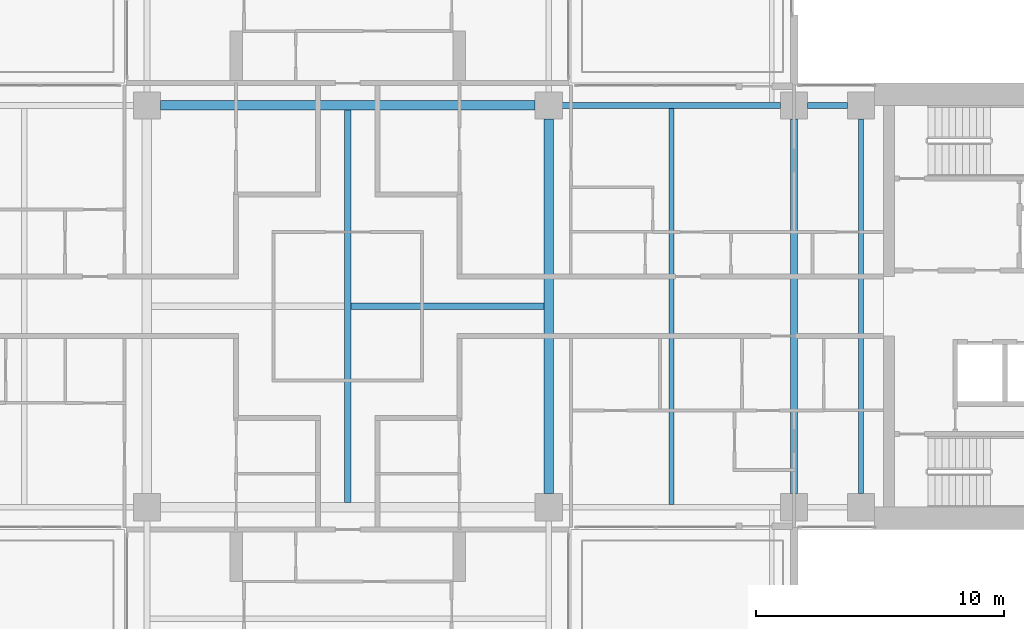
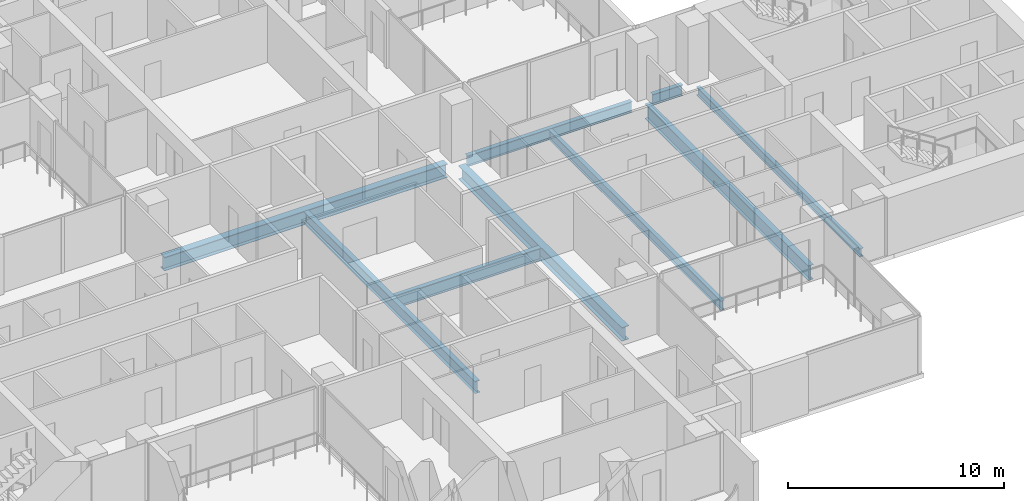
# One storey, part 4 of 19: 9 beams.
"""IFC4 building model written with IfcOpenShell, lengths in metres."""

from ifc_helpers import new_model, si_unit, direction, frame, origin, origin_2d, place, context, subcontext, project, spatial, i_section, extrude, material, material_profile, profile_set, type_object, element, save


model = new_model("IFC4")

# Units and contexts
model_context = context("Model", 3, precision=1e-05, world=origin(), true_north=direction((0.0, 1.0)))
body_context = subcontext(model_context, "Body", "Model", "MODEL_VIEW")
ifc_project = project(units=[si_unit("LENGTHUNIT", "METRE"), si_unit("AREAUNIT", "SQUARE_METRE"), si_unit("VOLUMEUNIT", "CUBIC_METRE"), si_unit("PLANEANGLEUNIT", "RADIAN"), si_unit("MASSUNIT", "GRAM", prefix="KILO")], contexts=[model_context])

# Site, building, storey
site_placement = place(None, origin())
site = spatial("IfcSite", under=ifc_project, at=site_placement, CompositionType="ELEMENT")
building_placement = place(site_placement, origin())
building = spatial("IfcBuilding", under=site, at=building_placement, Name="Perihelion Cross Residences", CompositionType="ELEMENT")
storey_placement = place(building_placement, frame((0.0, 0.0, 144.39990234375)))
storey = spatial("IfcBuildingStorey", under=building, at=storey_placement, Name="L35", CompositionType="ELEMENT", Elevation=144.39990234375)

# Beams
ifc_material_1 = material(Name="Steel S355", Category="steel")
ifc_material_profile_1 = material_profile(ifc_material_1, i_section(OverallWidth=0.194091796875, OverallDepth=0.469970703125, WebThickness=0.0126953125, FlangeThickness=0.0205078125, at=origin_2d()), Name="W460x106")
ifc_profile_set_1 = profile_set([ifc_material_profile_1], Name="Steel S355")
beam_type_1 = type_object("IfcBeamType", Name="Core edge beam W460x106", PredefinedType="BEAM", material=ifc_profile_set_1)
beam_1_placement = place(storey_placement, frame((20.699951171875, -7.550048828125, -0.48486328125), z_axis=(0.0, 1.0, 0.0), x_axis=(-1.0, 0.0, 0.0)))
element("IfcBeam", 1, at=beam_1_placement, inside=storey, type_object=beam_type_1, Name="Core edge beam TB5 L35 no. 2", PredefinedType="BEAM", context=body_context, shape_type="SweptSolid", body=[
    extrude(i_section(OverallWidth=0.194091796875, OverallDepth=0.469970703125, WebThickness=0.0126953125, FlangeThickness=0.0205078125, at=origin_2d()), origin(), (0.0, 0.0, 1.0), 15.10009765625),
])
ifc_material_2 = material(Name="Steel S355", Category="steel")
ifc_material_profile_2 = material_profile(ifc_material_2, i_section(OverallWidth=0.22900390625, OverallDepth=0.612060546875, WebThickness=0.011962890625, FlangeThickness=0.01953125, at=origin_2d()), Name="W610x125")
ifc_profile_set_2 = profile_set([ifc_material_profile_2], Name="Steel S355")
beam_type_2 = type_object("IfcBeamType", Name="Edge beam W610x125", PredefinedType="SPANDREL", material=ifc_profile_set_2)
beam_2_placement = place(storey_placement, frame((20.14990234375, 8.10009765625, -0.555908203125), z_axis=(-1.0, 0.0, 0.0), x_axis=(0.0, -1.0, 0.0)))
element("IfcBeam", 2, at=beam_2_placement, inside=storey, type_object=beam_type_2, Name="Edge beam SB3 L35 no. 13", PredefinedType="SPANDREL", context=body_context, shape_type="SweptSolid", body=[
    extrude(i_section(OverallWidth=0.22900390625, OverallDepth=0.612060546875, WebThickness=0.011962890625, FlangeThickness=0.01953125, at=origin_2d()), origin(), (0.0, 0.0, 1.0), 1.599853515625),
])
beam_3_placement = place(storey_placement, frame((17.449951171875, 8.10009765625, -0.555908203125), z_axis=(-1.0, 0.0, 0.0), x_axis=(0.0, -1.0, 0.0)))
element("IfcBeam", 3, at=beam_3_placement, inside=storey, type_object=beam_type_2, Name="Edge beam SB3 L35 no. 12", PredefinedType="SPANDREL", context=body_context, shape_type="SweptSolid", body=[
    extrude(i_section(OverallWidth=0.22900390625, OverallDepth=0.612060546875, WebThickness=0.011962890625, FlangeThickness=0.01953125, at=origin_2d()), origin(), (0.0, 0.0, 1.0), 8.800048828125),
])
ifc_material_3 = material(Name="Steel S355", Category="steel")
ifc_material_profile_3 = material_profile(ifc_material_3, i_section(OverallWidth=0.2919921875, OverallDepth=0.8359375, WebThickness=0.013916015625, FlangeThickness=0.018798828125, at=origin_2d()), Name="W840x176")
ifc_profile_set_3 = profile_set([ifc_material_profile_3], Name="Steel S355")
beam_type_3 = type_object("IfcBeamType", Name="Floor girder W840x176", PredefinedType="BEAM", material=ifc_profile_set_3)
beam_4_placement = place(storey_placement, frame((18.0, -7.550048828125, -0.66796875), z_axis=(0.0, 1.0, 0.0), x_axis=(-1.0, 0.0, 0.0)))
element("IfcBeam", 4, at=beam_4_placement, inside=storey, type_object=beam_type_3, Name="Girder G3 L35 no. 2", PredefinedType="BEAM", context=body_context, shape_type="SweptSolid", body=[
    extrude(i_section(OverallWidth=0.2919921875, OverallDepth=0.8359375, WebThickness=0.013916015625, FlangeThickness=0.018798828125, at=origin_2d()), origin(), (0.0, 0.0, 1.0), 15.10009765625),
])
ifc_material_4 = material(Name="Steel S355", Category="steel")
ifc_material_profile_4 = material_profile(ifc_material_4, i_section(OverallWidth=0.208984375, OverallDepth=0.532958984375, WebThickness=0.01025390625, FlangeThickness=0.015625, at=origin_2d()), Name="W530x92")
ifc_profile_set_4 = profile_set([ifc_material_profile_4], Name="Steel S355")
beam_type_4 = type_object("IfcBeamType", Name="Floor joist W530x92", PredefinedType="JOIST", material=ifc_profile_set_4)
beam_5_placement = place(storey_placement, frame((13.050048828125, -7.985595703125, -0.516357421875), z_axis=(0.0, 1.0, 0.0), x_axis=(-1.0, 0.0, 0.0)))
element("IfcBeam", 5, at=beam_5_placement, inside=storey, type_object=beam_type_4, Name="Joist J4 L35 no. 2", PredefinedType="JOIST", context=body_context, shape_type="SweptSolid", body=[
    extrude(i_section(OverallWidth=0.208984375, OverallDepth=0.532958984375, WebThickness=0.01025390625, FlangeThickness=0.015625, at=origin_2d()), origin(), (0.0, 0.0, 1.0), 15.97119140625),
])
ifc_material_5 = material(Name="Steel S355", Category="steel")
ifc_material_profile_5 = material_profile(ifc_material_5, i_section(OverallWidth=0.257080078125, OverallDepth=0.693115234375, WebThickness=0.014404296875, FlangeThickness=0.023681640625, at=origin_2d()), Name="W690x170")
ifc_profile_set_5 = profile_set([ifc_material_profile_5], Name="Steel S355")
beam_type_5 = type_object("IfcBeamType", Name="Hub cross beam W690x170", PredefinedType="BEAM", material=ifc_profile_set_5)
beam_6_placement = place(storey_placement, frame((0.0, -7.909423828125, -0.596435546875), z_axis=(0.0, 1.0, 0.0), x_axis=(-1.0, 0.0, 0.0)))
element("IfcBeam", 6, at=beam_6_placement, inside=storey, type_object=beam_type_5, Name="Hub cross beam XB3 L35 no. 1", PredefinedType="BEAM", context=body_context, shape_type="SweptSolid", body=[
    extrude(i_section(OverallWidth=0.257080078125, OverallDepth=0.693115234375, WebThickness=0.014404296875, FlangeThickness=0.023681640625, at=origin_2d()), origin(), (0.0, 0.0, 1.0), 15.81884765625),
])
beam_7_placement = place(storey_placement, frame((0.12841796875, 0.0, -0.596435546875), z_axis=(1.0, 0.0, 0.0), x_axis=(0.0, 1.0, 0.0)))
element("IfcBeam", 7, at=beam_7_placement, inside=storey, type_object=beam_type_5, Name="Hub cross beam XB3 L35 2 no. 1", PredefinedType="BEAM", context=body_context, shape_type="SweptSolid", body=[
    extrude(i_section(OverallWidth=0.257080078125, OverallDepth=0.693115234375, WebThickness=0.014404296875, FlangeThickness=0.023681640625, at=origin_2d()), origin(), (0.0, 0.0, 1.0), 7.781005859375),
])
ifc_material_6 = material(Name="Steel S355", Category="steel")
ifc_material_profile_6 = material_profile(ifc_material_6, i_section(OverallWidth=0.381103515625, OverallDepth=0.77197265625, WebThickness=0.0166015625, FlangeThickness=0.027099609375, at=origin_2d()), Name="W760x257")
ifc_profile_set_6 = profile_set([ifc_material_profile_6], Name="Steel S355")
beam_type_6 = type_object("IfcBeamType", Name="Hub ring girder W760x257", PredefinedType="BEAM", material=ifc_profile_set_6)
for number, where, z_axis, x_axis, name in (
    (8, (8.10009765625, -7.550048828125, -0.635986328125), (0.0, 1.0, 0.0), (-1.0, 0.0, 0.0), "Hub ring girder RG3 L35 no. 3"),
    (9, (7.550048828125, 8.10009765625, -0.635986328125), (-1.0, 0.0, 0.0), (0.0, -1.0, 0.0), "Hub ring girder RG3 L35 no. 4"),
):
    element("IfcBeam", number, at=place(storey_placement, frame(where, z_axis=z_axis, x_axis=x_axis)), inside=storey, type_object=beam_type_6, Name=name, PredefinedType="BEAM", context=body_context, shape_type="SweptSolid", body=[
        extrude(i_section(OverallWidth=0.381103515625, OverallDepth=0.77197265625, WebThickness=0.0166015625, FlangeThickness=0.027099609375, at=origin_2d()), origin(), (0.0, 0.0, 1.0), 15.10009765625),
    ])

save(model, "model.ifc")
